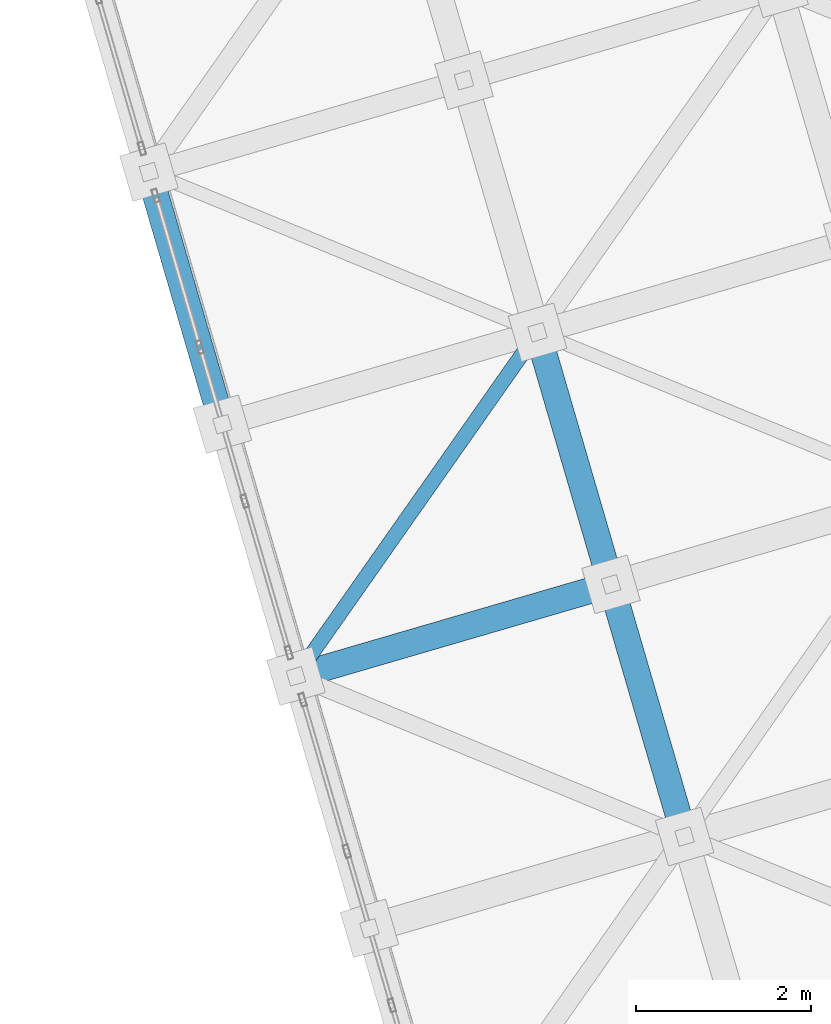
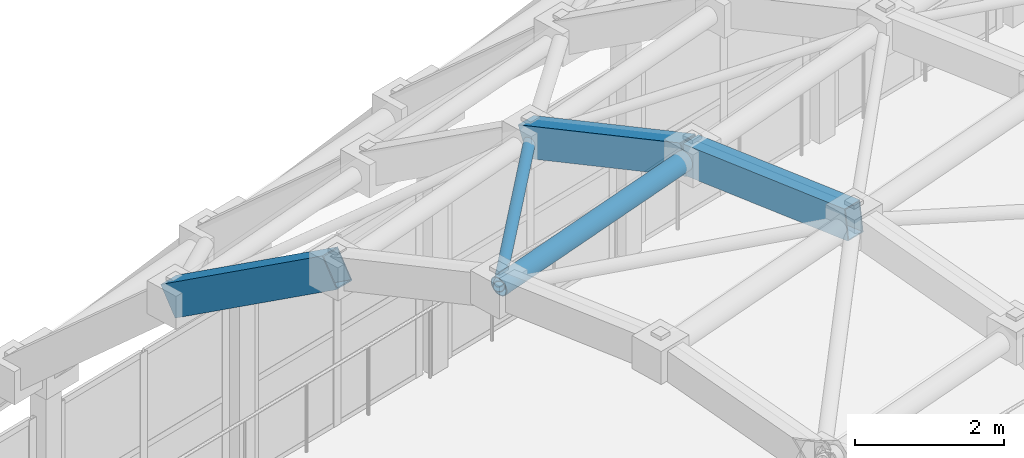
# One storey, part 48 of 248: 3 beams, 2 members.
"""IFC4 building model written with IfcOpenShell, lengths in metres."""

from ifc_helpers import new_model, si_unit, direction, frame, origin, origin_2d, place, context, subcontext, project, spatial, hollow_rectangle, hollow_circle, extrude, material, material_profile, profile_set, type_object, element, save


model = new_model("IFC4")

# Units and contexts
model_context = context("Model", 3, precision=1e-05, world=origin(), true_north=direction((0.0, 1.0)))
body_context = subcontext(model_context, "Body", "Model", "MODEL_VIEW")
ifc_project = project(units=[si_unit("LENGTHUNIT", "METRE"), si_unit("AREAUNIT", "SQUARE_METRE"), si_unit("VOLUMEUNIT", "CUBIC_METRE"), si_unit("PLANEANGLEUNIT", "RADIAN"), si_unit("MASSUNIT", "GRAM", prefix="KILO")], contexts=[model_context])

# Site, building, storey
site_placement = place(None, origin())
site = spatial("IfcSite", under=ifc_project, at=site_placement, CompositionType="ELEMENT")
building_placement = place(site_placement, origin())
building = spatial("IfcBuilding", under=site, at=building_placement, Name="Canggui Botanical Conservatory", CompositionType="ELEMENT")
storey_placement = place(building_placement, frame((0.0, 0.0, 5.39990234375)))
storey = spatial("IfcBuildingStorey", under=building, at=storey_placement, Name="L02", CompositionType="ELEMENT", Elevation=5.39990234375)

# Beams
ifc_material = material(Name="Steel Q355C", Category="steel")
ifc_material_profile_1 = material_profile(ifc_material, hollow_rectangle(XDim=0.300048828125, YDim=0.5, WallThickness=0.01611328125, at=origin_2d()), Name="RHS 300x500x16")
ifc_profile_set_1 = profile_set([ifc_material_profile_1], Name="Steel Q355C")
beam_type = type_object("IfcBeamType", Name="BM-GJ01", PredefinedType="BEAM", material=ifc_profile_set_1)
beam_1_placement = place(storey_placement, frame((14.1201171875, 62.159912109375, 11.6640625), z_axis=(-0.23585528661, 0.808597737907, -0.539019463499), x_axis=(-0.959995442804, -0.2800156242, 0.0)))
element("IfcBeam", 1, at=beam_1_placement, inside=storey, type_object=beam_type, Name="Conservatory Stepped-Arch Rib GJ-01 Segment 8", PredefinedType="BEAM", context=body_context, shape_type="SweptSolid", body=[
    extrude(hollow_rectangle(XDim=0.300048828125, YDim=0.5, WallThickness=0.01611328125, at=origin_2d()), origin(), (0.0, 0.0, 1.0), 3.561767578125),
])
beam_2_placement = place(storey_placement, frame((19.39990234375, 57.449951171875, 13.4501953125), z_axis=(-0.277674882378, 0.952247263781, -0.126971683134), x_axis=(-0.960017315421, -0.279940626011, 0.0)))
element("IfcBeam", 2, at=beam_2_placement, inside=storey, type_object=beam_type, Name="Conservatory Stepped-Arch Rib GJ-02 Segment 6", PredefinedType="BEAM", context=body_context, shape_type="SweptSolid", body=[
    extrude(hollow_rectangle(XDim=0.300048828125, YDim=0.5, WallThickness=0.01611328125, at=origin_2d()), origin(), (0.0, 0.0, 1.0), 3.024658203125),
])
beam_3_placement = place(storey_placement, frame((18.56005859375, 60.330078125, 13.066162109375), z_axis=(-0.261421746348, 0.896172891578, -0.358514740196), x_axis=(-0.959989061447, -0.280037500885, 0.0)))
element("IfcBeam", 3, at=beam_3_placement, inside=storey, type_object=beam_type, Name="Conservatory Stepped-Arch Rib GJ-02 Segment 7", PredefinedType="BEAM", context=body_context, shape_type="SweptSolid", body=[
    extrude(hollow_rectangle(XDim=0.300048828125, YDim=0.5, WallThickness=0.01611328125, at=origin_2d()), origin(), (0.0, 0.0, 1.0), 3.213623046875),
])

# Members
ifc_material_profile_2 = material_profile(ifc_material, hollow_circle(Radius=0.1494140625, WallThickness=0.011962890625, at=origin_2d()), Name="CHS 299x12")
ifc_profile_set_2 = profile_set([ifc_material_profile_2], Name="Steel Q355C")
member_type_1 = type_object("IfcMemberType", Name="MEM-GSC02", PredefinedType="CHORD", material=ifc_profile_set_2)
member_1_placement = place(storey_placement, frame((14.9599609375, 59.280029296875, 12.816162109375), z_axis=(0.957872417874, 0.27938486839, 0.066517113516), x_axis=(-0.280004999853, 0.959998541695, 0.0)))
element("IfcMember", 4, at=member_1_placement, inside=storey, type_object=member_type_1, Name="Conservatory Gridshell Longitudinal Chord 1-6", PredefinedType="CHORD", context=body_context, shape_type="SweptSolid", body=[
    extrude(hollow_circle(Radius=0.1494140625, WallThickness=0.011962890625, at=origin_2d()), origin(), (0.0, 0.0, 1.0), 3.758544921875),
])
ifc_material_profile_3 = material_profile(ifc_material, hollow_circle(Radius=0.083984375, WallThickness=0.008056640625, at=origin_2d()), Name="CHS 168x8")
ifc_profile_set_3 = profile_set([ifc_material_profile_3], Name="Steel Q355C")
member_type_2 = type_object("IfcMemberType", Name="MEM-GSD03", PredefinedType="RAFTER", material=ifc_profile_set_3)
member_2_placement = place(storey_placement, frame((14.9599609375, 59.280029296875, 12.816162109375), z_axis=(0.564848070729, 0.804277699648, -0.184618630813), x_axis=(-0.818344854073, 0.574727500484, 0.0)))
element("IfcMember", 5, at=member_2_placement, inside=storey, type_object=member_type_2, Name="Conservatory Gridshell Diagrid Rafter 1-7", PredefinedType="RAFTER", context=body_context, shape_type="SweptSolid", body=[
    extrude(hollow_circle(Radius=0.083984375, WallThickness=0.008056640625, at=origin_2d()), origin(), (0.0, 0.0, 1.0), 4.88623046875),
])

save(model, "model.ifc")
